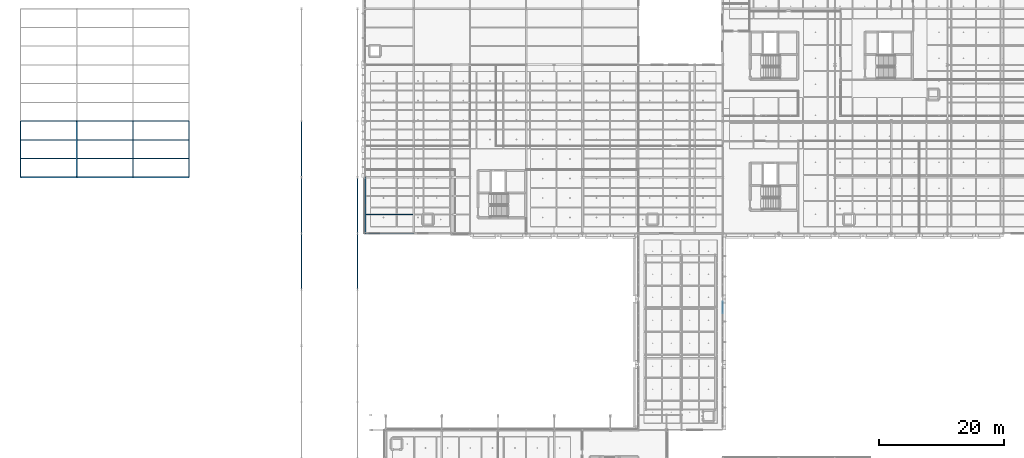
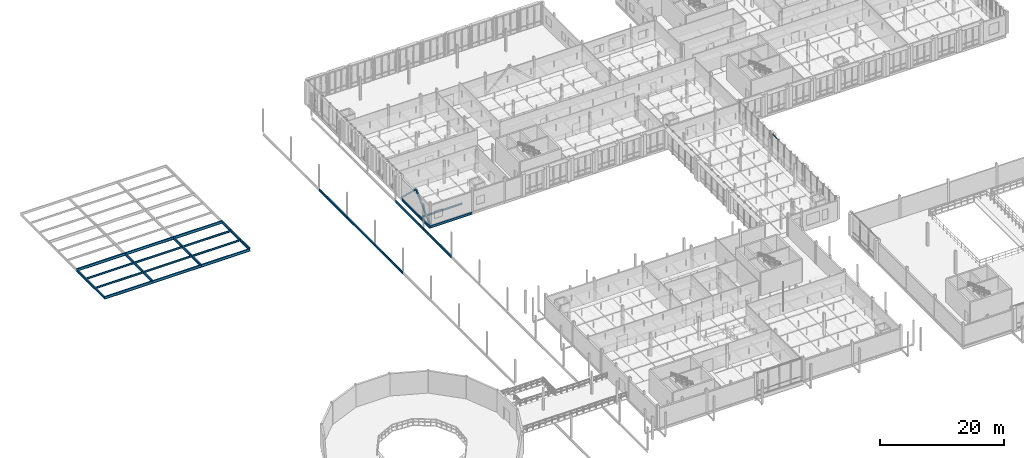
# One storey, part 31 of 130: 24 beams, 3 members, 1 element without a shape of its own.
"""IFC4 building model written with IfcOpenShell, lengths in metres."""

from ifc_helpers import new_model, si_unit, direction, frame, origin, origin_2d, place, context, subcontext, project, spatial, rectangle, hollow_rectangle, i_section, extrude, material, material_profile, profile_set, type_object, element, aggregate, save


model = new_model("IFC4")

# Units and contexts
model_context = context("Model", 3, precision=1e-05, world=origin(), true_north=direction((0.0, 1.0)))
body_context = subcontext(model_context, "Body", "Model", "MODEL_VIEW")
ifc_project = project(units=[si_unit("LENGTHUNIT", "METRE"), si_unit("AREAUNIT", "SQUARE_METRE"), si_unit("VOLUMEUNIT", "CUBIC_METRE"), si_unit("PLANEANGLEUNIT", "RADIAN"), si_unit("MASSUNIT", "GRAM", prefix="KILO"), si_unit("THERMODYNAMICTEMPERATUREUNIT", "KELVIN"), si_unit("POWERUNIT", "WATT")], contexts=[model_context])

# Site, building, storey
site_placement = place(None, origin())
site = spatial("IfcSite", under=ifc_project, at=site_placement, CompositionType="ELEMENT")
building_placement = place(site_placement, origin())
building = spatial("IfcBuilding", under=site, at=building_placement, Name="Tallowbark Science Centre", CompositionType="ELEMENT")
storey_placement = place(building_placement, frame((0.0, 0.0, 5.39990234375)))
storey = spatial("IfcBuildingStorey", under=building, at=storey_placement, Name="L01", CompositionType="ELEMENT", Elevation=5.39990234375)

# Beams
ifc_material_1 = material(Name="Structural Steel Grade 300PLUS (300 MPa)", Category="steel")
ifc_material_profile_1 = material_profile(ifc_material_1, i_section(OverallWidth=0.208984375, OverallDepth=0.532958984375, WebThickness=0.01025390625, FlangeThickness=0.015625, FilletRadius=0.013916015625, at=origin_2d()), Name="530UB92.4")
ifc_profile_set_1 = profile_set([ifc_material_profile_1], Name="Structural Steel Grade 300PLUS (300 MPa)")
beam_type_1 = type_object("IfcBeamType", Name="BM-UB530A", PredefinedType="BEAM", material=ifc_profile_set_1)
for number, where, z_axis, x_axis, name in (
    (1, (0.0, 81.0, -0.4462890625), (1.0, 0.0, 0.0), (0.0, 1.0, 0.0), "Primary Girder GRDX-L01-0-90-810"),
    (2, (9.0, 81.0, -0.4462890625), (1.0, 0.0, 0.0), (0.0, 1.0, 0.0), "Primary Girder GRDX-L01-90-180-810"),
    (3, (18.0, 81.0, -0.4462890625), (1.0, 0.0, 0.0), (0.0, 1.0, 0.0), "Primary Girder GRDX-L01-180-270-810"),
    (4, (0.0, 90.0, -0.4462890625), (1.0, 0.0, 0.0), (0.0, 1.0, 0.0), "Primary Girder GRDX-L01-0-90-900"),
    (5, (9.0, 90.0, -0.4462890625), (1.0, 0.0, 0.0), (0.0, 1.0, 0.0), "Primary Girder GRDX-L01-90-180-900"),
    (6, (18.0, 90.0, -0.4462890625), (1.0, 0.0, 0.0), (0.0, 1.0, 0.0), "Primary Girder GRDX-L01-180-270-900"),
):
    element("IfcBeam", number, at=place(storey_placement, frame(where, z_axis=z_axis, x_axis=x_axis)), inside=storey, type_object=beam_type_1, Name=name, PredefinedType="BEAM", context=body_context, shape_type="SweptSolid", body=[
        extrude(i_section(OverallWidth=0.208984375, OverallDepth=0.532958984375, WebThickness=0.01025390625, FlangeThickness=0.015625, FilletRadius=0.013916015625, at=origin_2d()), origin(), (0.0, 0.0, 1.0), 9.0),
    ])
ifc_material_profile_2 = material_profile(ifc_material_1, i_section(OverallWidth=0.208740234375, OverallDepth=0.5283203125, WebThickness=0.009521484375, FlangeThickness=0.01318359375, FilletRadius=0.013916015625, at=origin_2d()), Name="530UB82.0")
ifc_profile_set_2 = profile_set([ifc_material_profile_2], Name="Structural Steel Grade 300PLUS (300 MPa)")
beam_type_2 = type_object("IfcBeamType", Name="BM-UB530B", PredefinedType="BEAM", material=ifc_profile_set_2)
for number, where, z_axis, x_axis, name in (
    (7, (9.0, 81.0, -0.444091796875), (0.0, 1.0, 0.0), (-1.0, 0.0, 0.0), "Primary Girder GRDY-L01-90-810-900"),
    (8, (18.0, 81.0, -0.444091796875), (0.0, 1.0, 0.0), (-1.0, 0.0, 0.0), "Primary Girder GRDY-L01-180-810-900"),
    (9, (27.0, 81.0, -0.444091796875), (0.0, 1.0, 0.0), (-1.0, 0.0, 0.0), "Primary Girder GRDY-L01-270-810-900"),
    (10, (55.199951171875, 72.0, -0.444091796875), (0.0, 1.0, 0.0), (-1.0, 0.0, 0.0), "Primary Girder GRDY-L01-552-720-810"),
):
    element("IfcBeam", number, at=place(storey_placement, frame(where, z_axis=z_axis, x_axis=x_axis)), inside=storey, type_object=beam_type_2, Name=name, PredefinedType="BEAM", context=body_context, shape_type="SweptSolid", body=[
        extrude(i_section(OverallWidth=0.208740234375, OverallDepth=0.5283203125, WebThickness=0.009521484375, FlangeThickness=0.01318359375, FilletRadius=0.013916015625, at=origin_2d()), origin(), (0.0, 0.0, 1.0), 9.0),
    ])

# Members
ifc_material_2 = material(Name="Structural Steel Grade C350L0 (350 MPa)", Category="steel")
ifc_material_profile_3 = material_profile(ifc_material_2, hollow_rectangle(XDim=0.25, YDim=0.25, WallThickness=0.009033203125, at=origin_2d()), Name="250x250x9.0SHS")
ifc_profile_set_3 = profile_set([ifc_material_profile_3], Name="Structural Steel Grade C350L0 (350 MPa)")
member_type_1 = type_object("IfcMemberType", Name="CBF-250SHS", PredefinedType="BRACE", material=ifc_profile_set_3)
for number, where, z_axis, x_axis, name in (
    (11, (55.199951171875, 72.0, 0.0), (0.0, 0.72701315255, 0.686623532964), (-1.0, 0.0, 0.0), "Concentric Chevron Brace CBF-LAB-W1A L01 Left"),
    (12, (55.199951171875, 81.0, 0.0), (0.0, -0.72701315255, 0.686623532964), (1.0, 0.0, 0.0), "Concentric Chevron Brace CBF-LAB-W1A L01 Right"),
):
    element("IfcMember", number, at=place(storey_placement, frame(where, z_axis=z_axis, x_axis=x_axis)), inside=storey, type_object=member_type_1, Name=name, PredefinedType="BRACE", context=body_context, shape_type="SweptSolid", body=[
        extrude(hollow_rectangle(XDim=0.25, YDim=0.25, WallThickness=0.009033203125, at=origin_2d()), origin(), (0.0, 0.0, 1.0), 6.189697265625),
    ])

# Curtain wall, member
ifc_material_3 = material(Name="Unitised Thermally Broken Aluminium and Low-E Double Glazing", Category="aluminium")
curtain_wall_type = type_object("IfcCurtainWallType", Name="CW-SYS-FACADE", PredefinedType="NOTDEFINED", material=ifc_material_3)
curtain_wall_placement = place(storey_placement, origin())
curtain_wall = element("IfcCurtainWall", 13, at=curtain_wall_placement, inside=storey, type_object=curtain_wall_type, Name="Unitised Curtain Wall LNK-E-1 CW-L01-013", PredefinedType="NOTDEFINED")
ifc_material_4 = material(Name="Anodised Architectural Aluminium Alloy 6063-T6", Category="aluminium")
ifc_material_profile_4 = material_profile(ifc_material_4, rectangle(XDim=0.054931640625, YDim=0.1201171875, at=origin_2d()), Name="ALU55x120")
ifc_profile_set_4 = profile_set([ifc_material_profile_4], Name="Anodised Architectural Aluminium Alloy 6063-T6")
member_type_2 = type_object("IfcMemberType", Name="CWM-TRN-150", PredefinedType="USERDEFINED", material=ifc_profile_set_4)
member_placement = place(storey_placement, frame((112.5, 59.222412109375, 4.29248046875), z_axis=(0.0, 1.0, 0.0), x_axis=(-1.0, 0.0, 0.0)))
member = element("IfcMember", 14, at=member_placement, type_object=member_type_2, Name="CW-01 transom 5.3", ObjectType="TRANSOM", PredefinedType="USERDEFINED", context=body_context, shape_type="SweptSolid", body=[
    extrude(rectangle(XDim=0.054931640625, YDim=0.1201171875, at=origin_2d()), origin(), (0.0, 0.0, 1.0), 1.862548828125),
])
aggregate(curtain_wall, [member])

# Beams
ifc_material_profile_5 = material_profile(ifc_material_1, i_section(OverallWidth=0.166015625, OverallDepth=0.30712890625, WebThickness=0.006591796875, FlangeThickness=0.01171875, FilletRadius=0.011474609375, at=origin_2d()), Name="310UB46.2")
ifc_profile_set_5 = profile_set([ifc_material_profile_5], Name="Structural Steel Grade 300PLUS (300 MPa)")
beam_type_3 = type_object("IfcBeamType", Name="JST-UB310", PredefinedType="JOIST", material=ifc_profile_set_5)
beam_1_placement = place(storey_placement, frame((55.284912109375, 75.0, -0.33349609375), z_axis=(1.0, 0.0, 0.0), x_axis=(0.0, 1.0, 0.0)))
element("IfcBeam", 15, at=beam_1_placement, inside=storey, type_object=beam_type_3, Name="Composite Floor Joist JSTX-L01-552-750", PredefinedType="JOIST", context=body_context, shape_type="SweptSolid", body=[
    extrude(i_section(OverallWidth=0.166015625, OverallDepth=0.30712890625, WebThickness=0.006591796875, FlangeThickness=0.01171875, FilletRadius=0.011474609375, at=origin_2d()), origin(), (0.0, 0.0, 1.0), 7.630126953125),
])
ifc_material_profile_6 = material_profile(ifc_material_1, i_section(OverallWidth=0.172119140625, OverallDepth=0.358642578125, WebThickness=0.008056640625, FlangeThickness=0.012939453125, FilletRadius=0.011474609375, at=origin_2d()), Name="360UB56.7")
ifc_profile_set_6 = profile_set([ifc_material_profile_6], Name="Structural Steel Grade 300PLUS (300 MPa)")
beam_type_4 = type_object("IfcBeamType", Name="JST-UB360", PredefinedType="JOIST", material=ifc_profile_set_6)
for number, where, z_axis, x_axis, name in (
    (16, (0.0849609375, 84.0, -0.359130859375), (1.0, 0.0, 0.0), (0.0, 1.0, 0.0), "Composite Floor Joist JSTX-L01-0-840"),
    (17, (0.0849609375, 87.0, -0.359130859375), (1.0, 0.0, 0.0), (0.0, 1.0, 0.0), "Composite Floor Joist JSTX-L01-0-870"),
    (18, (9.0849609375, 84.0, -0.359130859375), (1.0, 0.0, 0.0), (0.0, 1.0, 0.0), "Composite Floor Joist JSTX-L01-90-840"),
    (19, (9.0849609375, 87.0, -0.359130859375), (1.0, 0.0, 0.0), (0.0, 1.0, 0.0), "Composite Floor Joist JSTX-L01-90-870"),
    (20, (18.0849609375, 84.0, -0.359130859375), (1.0, 0.0, 0.0), (0.0, 1.0, 0.0), "Composite Floor Joist JSTX-L01-180-840"),
    (21, (18.0849609375, 87.0, -0.359130859375), (1.0, 0.0, 0.0), (0.0, 1.0, 0.0), "Composite Floor Joist JSTX-L01-180-870"),
):
    element("IfcBeam", number, at=place(storey_placement, frame(where, z_axis=z_axis, x_axis=x_axis)), inside=storey, type_object=beam_type_4, Name=name, PredefinedType="JOIST", context=body_context, shape_type="SweptSolid", body=[
        extrude(i_section(OverallWidth=0.172119140625, OverallDepth=0.358642578125, WebThickness=0.008056640625, FlangeThickness=0.012939453125, FilletRadius=0.011474609375, at=origin_2d()), origin(), (0.0, 0.0, 1.0), 8.830078125),
    ])
ifc_material_profile_7 = material_profile(ifc_material_1, i_section(OverallWidth=0.18994140625, OverallDepth=0.453857421875, WebThickness=0.008544921875, FlangeThickness=0.0126953125, FilletRadius=0.011474609375, at=origin_2d()), Name="460UB67.1")
ifc_profile_set_7 = profile_set([ifc_material_profile_7], Name="Structural Steel Grade 300PLUS (300 MPa)")
beam_type_5 = type_object("IfcBeamType", Name="SPN-UB460", PredefinedType="SPANDREL", material=ifc_profile_set_7)
beam_2_placement = place(storey_placement, frame((55.199951171875, 72.0, -0.40673828125), z_axis=(1.0, 0.0, 0.0), x_axis=(0.0, 1.0, 0.0)))
element("IfcBeam", 22, at=beam_2_placement, inside=storey, type_object=beam_type_5, Name="Primary Girder GRDX-L01-552-630-720", PredefinedType="SPANDREL", context=body_context, shape_type="SweptSolid", body=[
    extrude(i_section(OverallWidth=0.18994140625, OverallDepth=0.453857421875, WebThickness=0.008544921875, FlangeThickness=0.0126953125, FilletRadius=0.011474609375, at=origin_2d()), origin(), (0.0, 0.0, 1.0), 7.800048828125),
])
for number, where, z_axis, x_axis, name in (
    (23, (0.0, 81.0, -0.40673828125), (0.0, 1.0, 0.0), (-1.0, 0.0, 0.0), "Primary Girder GRDY-L01-0-810-900"),
    (24, (45.0, 63.0, -0.40673828125), (0.0, 1.0, 0.0), (-1.0, 0.0, 0.0), "Primary Girder GRDY-L01-450-630-720"),
    (25, (45.0, 72.0, -0.40673828125), (0.0, 1.0, 0.0), (-1.0, 0.0, 0.0), "Primary Girder GRDY-L01-450-720-810"),
    (26, (45.0, 81.0, -0.40673828125), (0.0, 1.0, 0.0), (-1.0, 0.0, 0.0), "Primary Girder GRDY-L01-450-810-900"),
    (27, (54.0, 63.0, -0.40673828125), (0.0, 1.0, 0.0), (-1.0, 0.0, 0.0), "Primary Girder GRDY-L01-540-630-720"),
    (28, (54.0, 72.0, -0.40673828125), (0.0, 1.0, 0.0), (-1.0, 0.0, 0.0), "Primary Girder GRDY-L01-540-720-810"),
):
    element("IfcBeam", number, at=place(storey_placement, frame(where, z_axis=z_axis, x_axis=x_axis)), inside=storey, type_object=beam_type_5, Name=name, PredefinedType="SPANDREL", context=body_context, shape_type="SweptSolid", body=[
        extrude(i_section(OverallWidth=0.18994140625, OverallDepth=0.453857421875, WebThickness=0.008544921875, FlangeThickness=0.0126953125, FilletRadius=0.011474609375, at=origin_2d()), origin(), (0.0, 0.0, 1.0), 9.0),
    ])

save(model, "model.ifc")
